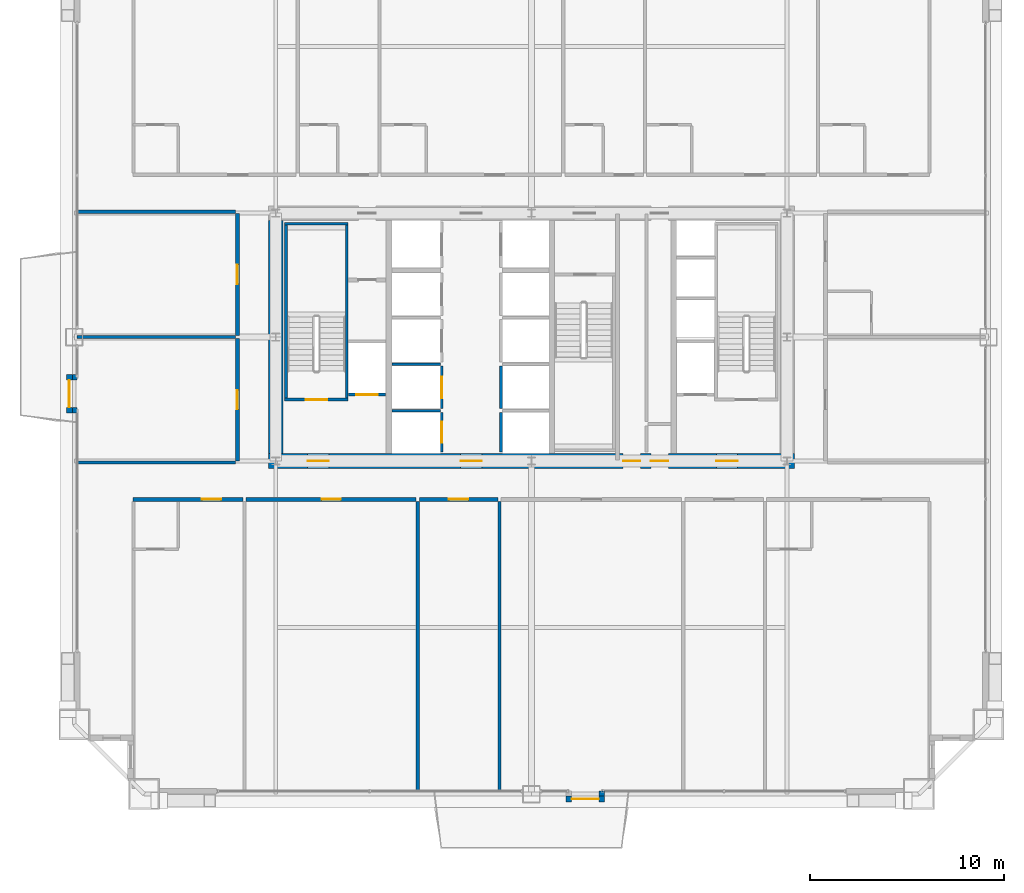
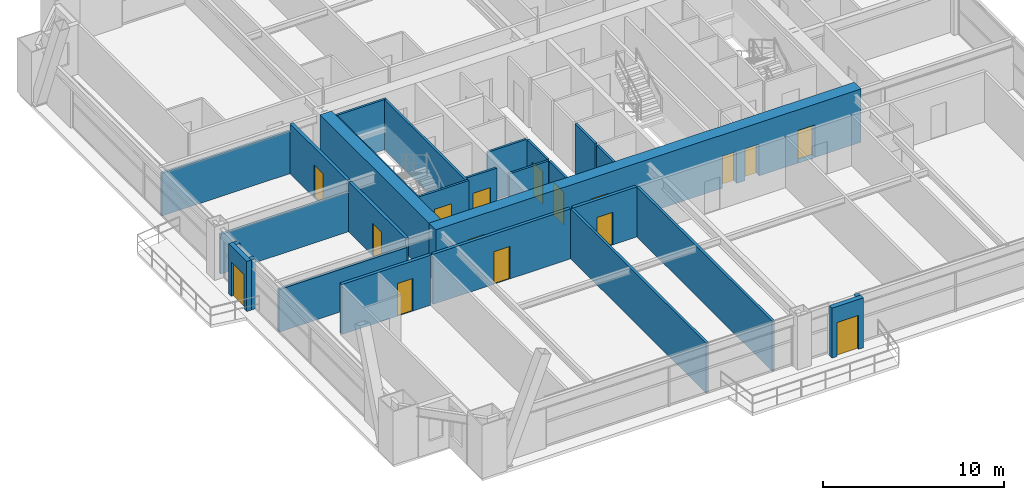
# One storey, part 38 of 42: 28 walls, 16 doors, 16 openings.
"""IFC4 building model written with IfcOpenShell, lengths in metres."""

from ifc_helpers import new_model, si_unit, direction, frame, frame_2d, origin, place, context, subcontext, project, spatial, rectangle, extrude, source, transform, mapped, material, layer, layer_set, type_object, element, fill, save


model = new_model("IFC4")

# Units and contexts
model_context = context("Model", 3, precision=1e-05, world=origin(), true_north=direction((0.0, 1.0)))
body_context = subcontext(model_context, "Body", "Model", "MODEL_VIEW")
ifc_project = project(units=[si_unit("LENGTHUNIT", "METRE"), si_unit("AREAUNIT", "SQUARE_METRE"), si_unit("VOLUMEUNIT", "CUBIC_METRE"), si_unit("PLANEANGLEUNIT", "RADIAN"), si_unit("MASSUNIT", "GRAM", prefix="KILO"), si_unit("THERMODYNAMICTEMPERATUREUNIT", "KELVIN"), si_unit("POWERUNIT", "WATT")], contexts=[model_context])

# Site, building, storey
site_placement = place(None, origin())
site = spatial("IfcSite", under=ifc_project, at=site_placement, CompositionType="ELEMENT")
building_placement = place(site_placement, origin())
building = spatial("IfcBuilding", under=site, at=building_placement, Name="Yuzanri Waterfront Tower", CompositionType="ELEMENT")
storey_placement = place(building_placement, frame((0.0, 0.0, 145.199951171875)))
storey = spatial("IfcBuildingStorey", under=building, at=storey_placement, Name="L38", CompositionType="ELEMENT", Elevation=145.199951171875)

# Wall, opening, door
ifc_material_1 = material(Name="Honed Chongqing Dark Basalt Stone", Category="masonry")
ifc_layer_1 = layer(ifc_material_1, 0.300048828125)
ifc_layer_set_1 = layer_set([ifc_layer_1], Name="Honed Chongqing Dark Basalt Stone")
wall_type_1 = type_object("IfcWallType", Name="Bronze Rainscreen Insulated Spandrel Portal Wall 300", PredefinedType="SOLIDWALL", material=ifc_layer_set_1)
wall_1_placement = place(storey_placement, frame((38.782958984375, 1.949951171875, 0.0), z_axis=(0.0, 0.0, 1.0), x_axis=(1.0, 0.0, 0.0)))
wall_1 = element("IfcWall", 1, at=wall_1_placement, inside=storey, type_object=wall_type_1, Name="L38 S Terrace Door Portal Wall", PredefinedType="SOLIDWALL", context=body_context, shape_type="SweptSolid", body=[
    extrude(rectangle(XDim=2.0, YDim=0.300048828125, at=frame_2d((1.0, 0.0))), origin(), (0.0, 0.0, 1.0), 3.380126953125),
])
opening_1_placement = place(wall_1_placement, frame((0.300048828125, 0.0, 0.0)))
opening_1 = element("IfcOpeningElement", 2, at=opening_1_placement, cuts=wall_1, Name="Opening TD-1400", PredefinedType="OPENING", context=body_context, shape_type="SweptSolid", body=[
    extrude(rectangle(XDim=1.39990234375, YDim=2.300048828125, at=frame_2d((0.699951171875, 1.14990234375))), frame((0.0, 0.1650390625, 0.0), z_axis=(0.0, -1.0, 0.0), x_axis=(1.0, 0.0, 0.0)), (0.0, 0.0, 1.0), 0.329833984375),
])
ifc_material_2 = material(Name="Anodized Architectural Bronze", Category="metal")
door_type_1 = type_object("IfcDoorType", Name="Anodized Bronze Balcony and Terrace Glazed Double Door 1400x2300", OperationType="NOTDEFINED", PredefinedType="DOOR", material=ifc_material_2)
shared_shape_1 = source(origin(), body_context, "Body", "SweptSolid", [
    extrude(rectangle(XDim=1.39990234375, YDim=2.300048828125, at=frame_2d((0.699951171875, 1.14990234375))), frame((0.0, 0.02490234375, 0.0), z_axis=(0.0, -1.0, 0.0), x_axis=(1.0, 0.0, 0.0)), (0.0, 0.0, 1.0), 0.050048828125),
])
door_1_placement = place(opening_1_placement, origin())
door_1 = element("IfcDoor", 3, at=door_1_placement, inside=storey, type_object=door_type_1, Name="L38 S Terrace Glazed Double Door", OperationType="DOUBLE_DOOR_SINGLE_SWING", OverallHeight=2.300048828125, OverallWidth=1.39990234375, PredefinedType="DOOR", context=body_context, shape_type="MappedRepresentation", body=[
    mapped(shared_shape_1, transform((0.0, 0.0, 0.0), scale=1.0)),
])
fill(opening_1, door_1)

wall_2_placement = place(storey_placement, frame((13.14990234375, 21.875, 0.0), z_axis=(0.0, 0.0, 1.0), x_axis=(0.0, 1.0, 0.0)))
wall_2 = element("IfcWall", 4, at=wall_2_placement, inside=storey, type_object=wall_type_1, Name="L38 W Terrace Door Portal Wall", PredefinedType="SOLIDWALL", context=body_context, shape_type="SweptSolid", body=[
    extrude(rectangle(XDim=2.0, YDim=0.300048828125, at=frame_2d((1.0, 0.0))), origin(), (0.0, 0.0, 1.0), 3.380126953125),
])
opening_2_placement = place(wall_2_placement, frame((0.300048828125, 0.0, 0.0)))
opening_2 = element("IfcOpeningElement", 5, at=opening_2_placement, cuts=wall_2, Name="Opening TD-1400", PredefinedType="OPENING", context=body_context, shape_type="SweptSolid", body=[
    extrude(rectangle(XDim=1.39990234375, YDim=2.300048828125, at=frame_2d((0.699951171875, 1.14990234375))), frame((0.0, 0.1650390625, 0.0), z_axis=(0.0, -1.0, 0.0), x_axis=(1.0, 0.0, 0.0)), (0.0, 0.0, 1.0), 0.329833984375),
])
door_2_placement = place(opening_2_placement, origin())
door_2 = element("IfcDoor", 6, at=door_2_placement, inside=storey, type_object=door_type_1, Name="L38 W Terrace Glazed Double Door", OperationType="DOUBLE_DOOR_SINGLE_SWING", OverallHeight=2.300048828125, OverallWidth=1.39990234375, PredefinedType="DOOR", context=body_context, shape_type="MappedRepresentation", body=[
    mapped(shared_shape_1, transform((0.0, 0.0, 0.0), scale=1.0)),
])
fill(opening_2, door_2)

# Wall, openings, doors
ifc_material_3 = material(Name="Concrete C55", Category="concrete")
ifc_layer_2 = layer(ifc_material_3, 0.75)
ifc_layer_set_2 = layer_set([ifc_layer_2], Name="Concrete C55")
wall_type_2 = type_object("IfcWallType", Name="Concrete C55 Low-Mid Zone Core Shear Wall 750", PredefinedType="SHEAR", material=ifc_layer_set_2)
wall_3_placement = place(storey_placement, frame((23.425048828125, 19.39990234375, 0.0), z_axis=(0.0, 0.0, 1.0), x_axis=(1.0, 0.0, 0.0)))
wall_3 = element("IfcWall", 7, at=wall_3_placement, inside=storey, type_object=wall_type_2, Name="L38 Core South Shear Wall", PredefinedType="SHEAR", context=body_context, shape_type="SweptSolid", body=[
    extrude(rectangle(XDim=27.14990234375, YDim=0.75, at=frame_2d((13.574951171875, 0.0))), origin(), (0.0, 0.0, 1.0), 3.60009765625),
])
opening_3_placement = place(wall_3_placement, frame((2.02490234375, 0.0, 0.0)))
opening_3 = element("IfcOpeningElement", 8, at=opening_3_placement, cuts=wall_3, Name="Opening FD-1100", PredefinedType="OPENING", context=body_context, shape_type="SweptSolid", body=[
    extrude(rectangle(XDim=1.10009765625, YDim=2.199951171875, at=frame_2d((0.550048828125, 1.10009765625))), frame((0.0, 0.389892578125, 0.0), z_axis=(0.0, -1.0, 0.0), x_axis=(1.0, 0.0, 0.0)), (0.0, 0.0, 1.0), 0.77978515625),
])
opening_4_placement = place(wall_3_placement, frame((9.925048828125, 0.0, 0.0)))
opening_4 = element("IfcOpeningElement", 9, at=opening_4_placement, cuts=wall_3, Name="Opening FD-1100", PredefinedType="OPENING", context=body_context, shape_type="SweptSolid", body=[
    extrude(rectangle(XDim=1.10009765625, YDim=2.199951171875, at=frame_2d((0.550048828125, 1.10009765625))), frame((0.0, 0.389892578125, 0.0), z_axis=(0.0, -1.0, 0.0), x_axis=(1.0, 0.0, 0.0)), (0.0, 0.0, 1.0), 0.77978515625),
])
opening_5_placement = place(wall_3_placement, frame((23.125, 0.0, 0.0)))
opening_5 = element("IfcOpeningElement", 10, at=opening_5_placement, cuts=wall_3, Name="Opening FD-1100", PredefinedType="OPENING", context=body_context, shape_type="SweptSolid", body=[
    extrude(rectangle(XDim=1.10009765625, YDim=2.199951171875, at=frame_2d((0.550048828125, 1.10009765625))), frame((0.0, 0.389892578125, 0.0), z_axis=(0.0, -1.0, 0.0), x_axis=(1.0, 0.0, 0.0)), (0.0, 0.0, 1.0), 0.77978515625),
])
opening_6_placement = place(wall_3_placement, frame((19.7451171875, 0.0, 0.0)))
opening_6 = element("IfcOpeningElement", 11, at=opening_6_placement, cuts=wall_3, Name="Opening FD-0900", PredefinedType="OPENING", context=body_context, shape_type="SweptSolid", body=[
    extrude(rectangle(XDim=0.89990234375, YDim=2.14990234375, at=frame_2d((0.449951171875, 1.074951171875))), frame((0.0, 0.389892578125, 0.0), z_axis=(0.0, -1.0, 0.0), x_axis=(1.0, 0.0, 0.0)), (0.0, 0.0, 1.0), 0.77978515625),
])
opening_7_placement = place(wall_3_placement, frame((18.304931640625, 0.0, 0.0)))
opening_7 = element("IfcOpeningElement", 12, at=opening_7_placement, cuts=wall_3, Name="Opening FD-0900", PredefinedType="OPENING", context=body_context, shape_type="SweptSolid", body=[
    extrude(rectangle(XDim=0.89990234375, YDim=2.14990234375, at=frame_2d((0.449951171875, 1.074951171875))), frame((0.0, 0.389892578125, 0.0), z_axis=(0.0, -1.0, 0.0), x_axis=(1.0, 0.0, 0.0)), (0.0, 0.0, 1.0), 0.77978515625),
])
ifc_material_4 = material(Name="Painted Galvanized Fire Steel", Category="steel")
door_type_2 = type_object("IfcDoorType", Name="Smoke-Proof Stair and Lobby Fire Door 1100x2200", OperationType="NOTDEFINED", PredefinedType="DOOR", material=ifc_material_4)
shared_shape_2 = source(origin(), body_context, "Body", "SweptSolid", [
    extrude(rectangle(XDim=1.10009765625, YDim=2.199951171875, at=frame_2d((0.550048828125, 1.10009765625))), frame((0.0, 0.02490234375, 0.0), z_axis=(0.0, -1.0, 0.0), x_axis=(1.0, 0.0, 0.0)), (0.0, 0.0, 1.0), 0.050048828125),
])
door_3_placement = place(opening_3_placement, origin())
door_3 = element("IfcDoor", 13, at=door_3_placement, inside=storey, type_object=door_type_2, Name="L38 West Firefighting Lobby Door", OperationType="SINGLE_SWING_RIGHT", OverallHeight=2.199951171875, OverallWidth=1.10009765625, PredefinedType="DOOR", context=body_context, shape_type="MappedRepresentation", body=[
    mapped(shared_shape_2, transform((0.0, 0.0, 0.0), scale=1.0)),
])
fill(opening_3, door_3)
door_4_placement = place(opening_4_placement, origin())
door_4 = element("IfcDoor", 14, at=door_4_placement, inside=storey, type_object=door_type_2, Name="L38 Central Lift Lobby South Door", OperationType="SINGLE_SWING_LEFT", OverallHeight=2.199951171875, OverallWidth=1.10009765625, PredefinedType="DOOR", context=body_context, shape_type="MappedRepresentation", body=[
    mapped(shared_shape_2, transform((0.0, 0.0, 0.0), scale=1.0)),
])
fill(opening_4, door_4)
door_5_placement = place(opening_5_placement, origin())
door_5 = element("IfcDoor", 15, at=door_5_placement, inside=storey, type_object=door_type_2, Name="L38 East Firefighting Lobby Door", OperationType="SINGLE_SWING_RIGHT", OverallHeight=2.199951171875, OverallWidth=1.10009765625, PredefinedType="DOOR", context=body_context, shape_type="MappedRepresentation", body=[
    mapped(shared_shape_2, transform((0.0, 0.0, 0.0), scale=1.0)),
])
fill(opening_5, door_5)
ifc_material_5 = material(Name="Painted Galvanized Fire Steel", Category="steel")
door_type_3 = type_object("IfcDoorType", Name="Riser and Service Room Fire Door 900x2150", OperationType="NOTDEFINED", PredefinedType="DOOR", material=ifc_material_5)
shared_shape_3 = source(origin(), body_context, "Body", "SweptSolid", [
    extrude(rectangle(XDim=0.89990234375, YDim=2.14990234375, at=frame_2d((0.449951171875, 1.074951171875))), frame((0.0, 0.02490234375, 0.0), z_axis=(0.0, -1.0, 0.0), x_axis=(1.0, 0.0, 0.0)), (0.0, 0.0, 1.0), 0.050048828125),
])
door_6_placement = place(opening_6_placement, origin())
door_6 = element("IfcDoor", 16, at=door_6_placement, inside=storey, type_object=door_type_3, Name="L38 East Wet Riser Door", OperationType="SINGLE_SWING_LEFT", OverallHeight=2.14990234375, OverallWidth=0.89990234375, PredefinedType="DOOR", context=body_context, shape_type="MappedRepresentation", body=[
    mapped(shared_shape_3, transform((0.0, 0.0, 0.0), scale=1.0)),
])
fill(opening_6, door_6)
door_7_placement = place(opening_7_placement, origin())
door_7 = element("IfcDoor", 17, at=door_7_placement, inside=storey, type_object=door_type_3, Name="L38 Housekeeping Room", OperationType="SINGLE_SWING_RIGHT", OverallHeight=2.14990234375, OverallWidth=0.89990234375, PredefinedType="DOOR", context=body_context, shape_type="MappedRepresentation", body=[
    mapped(shared_shape_3, transform((0.0, 0.0, 0.0), scale=1.0)),
])
fill(opening_7, door_7)

# Wall, opening, door
ifc_material_6 = material(Name="Concrete C40", Category="concrete")
ifc_layer_3 = layer(ifc_material_6, 0.139892578125)
ifc_layer_set_3 = layer_set([ifc_layer_3], Name="Concrete C40")
wall_type_3 = type_object("IfcWallType", Name="Core Stair Liner and Hoistway Shaft Wall 140", PredefinedType="SOLIDWALL", material=ifc_layer_set_3)
wall_4_placement = place(storey_placement, frame((27.56005859375, 22.830078125, 0.0), z_axis=(0.0, 0.0, 1.0), x_axis=(1.0, 0.0, 0.0)))
wall_4 = element("IfcWall", 18, at=wall_4_placement, inside=storey, type_object=wall_type_3, Name="L38 Lift FL-01 Front Shaft Wall", PredefinedType="SOLIDWALL", context=body_context, shape_type="SweptSolid", body=[
    extrude(rectangle(XDim=1.919921875, YDim=0.139892578125, at=frame_2d((0.9599609375, 0.0))), origin(), (0.0, 0.0, 1.0), 3.380126953125),
])
opening_8_placement = place(wall_4_placement, frame((0.409912109375, 0.0, 0.0)))
opening_8 = element("IfcOpeningElement", 19, at=opening_8_placement, cuts=wall_4, Name="Opening LD-FL-01", PredefinedType="OPENING", context=body_context, shape_type="SweptSolid", body=[
    extrude(rectangle(XDim=1.10009765625, YDim=2.199951171875, at=frame_2d((0.550048828125, 1.10009765625))), frame((0.0, 0.0849609375, 0.0), z_axis=(0.0, -1.0, 0.0), x_axis=(1.0, 0.0, 0.0)), (0.0, 0.0, 1.0), 0.169677734375),
])
ifc_material_7 = material(Name="Brushed Bronze and Stainless Steel Cab", Category="steel")
door_type_4 = type_object("IfcDoorType", Name="Center-Parting Bronze Lift Landing Sliding Door 1100x2200", OperationType="NOTDEFINED", PredefinedType="DOOR", material=ifc_material_7)
shared_shape_4 = source(origin(), body_context, "Body", "SweptSolid", [
    extrude(rectangle(XDim=1.10009765625, YDim=2.199951171875, at=frame_2d((0.550048828125, 1.10009765625))), frame((0.0, 0.02490234375, 0.0), z_axis=(0.0, -1.0, 0.0), x_axis=(1.0, 0.0, 0.0)), (0.0, 0.0, 1.0), 0.050048828125),
])
door_8_placement = place(opening_8_placement, origin())
door_8 = element("IfcDoor", 20, at=door_8_placement, inside=storey, type_object=door_type_4, Name="L38 FL-01 Lift Landing Sliding Door", OperationType="SLIDING_TO_LEFT", OverallHeight=2.199951171875, OverallWidth=1.10009765625, PredefinedType="DOOR", context=body_context, shape_type="MappedRepresentation", body=[
    mapped(shared_shape_4, transform((0.0, 0.0, 0.0), scale=1.0)),
])
fill(opening_8, door_8)

wall_5_placement = place(storey_placement, frame((32.3701171875, 19.860107421875, 0.0), z_axis=(0.0, 0.0, 1.0), x_axis=(0.0, 1.0, 0.0)))
wall_5 = element("IfcWall", 21, at=wall_5_placement, inside=storey, type_object=wall_type_3, Name="L38 Lift PL-01 Front Shaft Wall", PredefinedType="SOLIDWALL", context=body_context, shape_type="SweptSolid", body=[
    extrude(rectangle(XDim=2.039794921875, YDim=0.139892578125, at=frame_2d((1.02001953125, 0.0))), origin(), (0.0, 0.0, 1.0), 3.380126953125),
])
opening_9_placement = place(wall_5_placement, frame((0.469970703125, 0.0, 0.0)))
opening_9 = element("IfcOpeningElement", 22, at=opening_9_placement, cuts=wall_5, Name="Opening LD-PL-01", PredefinedType="OPENING", context=body_context, shape_type="SweptSolid", body=[
    extrude(rectangle(XDim=1.10009765625, YDim=2.199951171875, at=frame_2d((0.550048828125, 1.10009765625))), frame((0.0, 0.0849609375, 0.0), z_axis=(0.0, -1.0, 0.0), x_axis=(1.0, 0.0, 0.0)), (0.0, 0.0, 1.0), 0.169677734375),
])
door_9_placement = place(opening_9_placement, origin())
door_9 = element("IfcDoor", 23, at=door_9_placement, inside=storey, type_object=door_type_4, Name="L38 PL-01 Lift Landing Sliding Door", OperationType="SLIDING_TO_LEFT", OverallHeight=2.199951171875, OverallWidth=1.10009765625, PredefinedType="DOOR", context=body_context, shape_type="MappedRepresentation", body=[
    mapped(shared_shape_4, transform((0.0, 0.0, 0.0), scale=1.0)),
])
fill(opening_9, door_9)

wall_6_placement = place(storey_placement, frame((32.3701171875, 22.10009765625, 0.0), z_axis=(0.0, 0.0, 1.0), x_axis=(0.0, 1.0, 0.0)))
wall_6 = element("IfcWall", 24, at=wall_6_placement, inside=storey, type_object=wall_type_3, Name="L38 Lift PL-02 Front Shaft Wall", PredefinedType="SOLIDWALL", context=body_context, shape_type="SweptSolid", body=[
    extrude(rectangle(XDim=2.199951171875, YDim=0.139892578125, at=frame_2d((1.10009765625, 0.0))), origin(), (0.0, 0.0, 1.0), 3.380126953125),
])
opening_10_placement = place(wall_6_placement, frame((0.550048828125, 0.0, 0.0)))
opening_10 = element("IfcOpeningElement", 25, at=opening_10_placement, cuts=wall_6, Name="Opening LD-PL-02", PredefinedType="OPENING", context=body_context, shape_type="SweptSolid", body=[
    extrude(rectangle(XDim=1.10009765625, YDim=2.199951171875, at=frame_2d((0.550048828125, 1.10009765625))), frame((0.0, 0.0849609375, 0.0), z_axis=(0.0, -1.0, 0.0), x_axis=(1.0, 0.0, 0.0)), (0.0, 0.0, 1.0), 0.169677734375),
])
door_10_placement = place(opening_10_placement, origin())
door_10 = element("IfcDoor", 26, at=door_10_placement, inside=storey, type_object=door_type_4, Name="L38 PL-02 Lift Landing Sliding Door", OperationType="SLIDING_TO_RIGHT", OverallHeight=2.199951171875, OverallWidth=1.10009765625, PredefinedType="DOOR", context=body_context, shape_type="MappedRepresentation", body=[
    mapped(shared_shape_4, transform((0.0, 0.0, 0.0), scale=1.0)),
])
fill(opening_10, door_10)

wall_7_placement = place(storey_placement, frame((24.260009765625, 22.570068359375, 0.0), z_axis=(0.0, 0.0, 1.0), x_axis=(1.0, 0.0, 0.0)))
wall_7 = element("IfcWall", 27, at=wall_7_placement, inside=storey, type_object=wall_type_3, Name="L38 Shaft Wall STW-L38-ST-01-S", PredefinedType="SOLIDWALL", context=body_context, shape_type="SweptSolid", body=[
    extrude(rectangle(XDim=3.280029296875, YDim=0.139892578125, at=frame_2d((1.64013671875, 0.0))), origin(), (0.0, 0.0, 1.0), 3.380126953125),
])
opening_11_placement = place(wall_7_placement, frame((1.090087890625, 0.0, 0.0)))
opening_11 = element("IfcOpeningElement", 28, at=opening_11_placement, cuts=wall_7, Name="Opening FD-1100", PredefinedType="OPENING", context=body_context, shape_type="SweptSolid", body=[
    extrude(rectangle(XDim=1.10009765625, YDim=2.199951171875, at=frame_2d((0.550048828125, 1.10009765625))), frame((0.0, 0.0849609375, 0.0), z_axis=(0.0, -1.0, 0.0), x_axis=(1.0, 0.0, 0.0)), (0.0, 0.0, 1.0), 0.169677734375),
])
door_11_placement = place(opening_11_placement, origin())
door_11 = element("IfcDoor", 29, at=door_11_placement, inside=storey, type_object=door_type_2, Name="L38 Stair ST-01 Fire Door", OperationType="SINGLE_SWING_LEFT", OverallHeight=2.199951171875, OverallWidth=1.10009765625, PredefinedType="DOOR", context=body_context, shape_type="MappedRepresentation", body=[
    mapped(shared_shape_2, transform((0.0, 0.0, 0.0), scale=1.0)),
])
fill(opening_11, door_11)

ifc_material_8 = material(Name="Autoclaved Aerated Concrete Blockwork", Category="masonry")
ifc_layer_4 = layer(ifc_material_8, 0.199951171875)
ifc_layer_set_4 = layer_set([ifc_layer_4], Name="Autoclaved Aerated Concrete Blockwork")
wall_type_4 = type_object("IfcWallType", Name="Corridor and Unit Party Fire Wall 200", PredefinedType="PARTITIONING", material=ifc_layer_set_4)
wall_8_placement = place(storey_placement, frame((16.43994140625, 17.419921875, 0.0), z_axis=(0.0, 0.0, 1.0), x_axis=(1.0, 0.0, 0.0)))
wall_8 = element("IfcWall", 30, at=wall_8_placement, inside=storey, type_object=wall_type_4, Name="L38 Partition UW-L38-S1-CN", PredefinedType="PARTITIONING", context=body_context, shape_type="SweptSolid", body=[
    extrude(rectangle(XDim=5.677001953125, YDim=0.199951171875, at=frame_2d((2.83837890625, 0.0))), origin(), (0.0, 0.0, 1.0), 3.380126953125),
])
opening_12_placement = place(wall_8_placement, frame((3.54296875, 0.0, 0.0)))
opening_12 = element("IfcOpeningElement", 31, at=opening_12_placement, cuts=wall_8, Name="Opening FD-1000", PredefinedType="OPENING", context=body_context, shape_type="SweptSolid", body=[
    extrude(rectangle(XDim=1.0, YDim=2.199951171875, at=frame_2d((0.5, 1.10009765625))), frame((0.0, 0.11474609375, 0.0), z_axis=(0.0, -1.0, 0.0), x_axis=(1.0, 0.0, 0.0)), (0.0, 0.0, 1.0), 0.229736328125),
])
ifc_material_9 = material(Name="Engineered Oak Fire-Rated Timber", Category="wood")
door_type_5 = type_object("IfcDoorType", Name="Guestroom and Apartment Entrance Fire Door 1000x2200", OperationType="NOTDEFINED", PredefinedType="DOOR", material=ifc_material_9)
shared_shape_5 = source(origin(), body_context, "Body", "SweptSolid", [
    extrude(rectangle(XDim=1.0, YDim=2.199951171875, at=frame_2d((0.5, 1.10009765625))), frame((0.0, 0.02490234375, 0.0), z_axis=(0.0, -1.0, 0.0), x_axis=(1.0, 0.0, 0.0)), (0.0, 0.0, 1.0), 0.050048828125),
])
door_12_placement = place(opening_12_placement, origin())
door_12 = element("IfcDoor", 32, at=door_12_placement, inside=storey, type_object=door_type_5, Name="L38 Ambassador Suite Entrance Door", OperationType="SINGLE_SWING_RIGHT", OverallHeight=2.199951171875, OverallWidth=1.0, PredefinedType="DOOR", context=body_context, shape_type="MappedRepresentation", body=[
    mapped(shared_shape_5, transform((0.0, 0.0, 0.0), scale=1.0)),
])
fill(opening_12, door_12)

wall_9_placement = place(storey_placement, frame((22.277099609375, 17.419921875, 0.0), z_axis=(0.0, 0.0, 1.0), x_axis=(1.0, 0.0, 0.0)))
wall_9 = element("IfcWall", 33, at=wall_9_placement, inside=storey, type_object=wall_type_4, Name="L38 Partition UW-L38-S2-CN", PredefinedType="PARTITIONING", context=body_context, shape_type="SweptSolid", body=[
    extrude(rectangle(XDim=8.77685546875, YDim=0.199951171875, at=frame_2d((4.388427734375, 0.0))), origin(), (0.0, 0.0, 1.0), 3.380126953125),
])
opening_13_placement = place(wall_9_placement, frame((3.888916015625, 0.0, 0.0)))
opening_13 = element("IfcOpeningElement", 34, at=opening_13_placement, cuts=wall_9, Name="Opening FD-1000", PredefinedType="OPENING", context=body_context, shape_type="SweptSolid", body=[
    extrude(rectangle(XDim=1.0, YDim=2.199951171875, at=frame_2d((0.5, 1.10009765625))), frame((0.0, 0.11474609375, 0.0), z_axis=(0.0, -1.0, 0.0), x_axis=(1.0, 0.0, 0.0)), (0.0, 0.0, 1.0), 0.229736328125),
])
door_13_placement = place(opening_13_placement, origin())
door_13 = element("IfcDoor", 35, at=door_13_placement, inside=storey, type_object=door_type_5, Name="L38 Private Office 1 Entrance Door", OperationType="SINGLE_SWING_RIGHT", OverallHeight=2.199951171875, OverallWidth=1.0, PredefinedType="DOOR", context=body_context, shape_type="MappedRepresentation", body=[
    mapped(shared_shape_5, transform((0.0, 0.0, 0.0), scale=1.0)),
])
fill(opening_13, door_13)

wall_10_placement = place(storey_placement, frame((31.214111328125, 17.419921875, 0.0), z_axis=(0.0, 0.0, 1.0), x_axis=(1.0, 0.0, 0.0)))
wall_10 = element("IfcWall", 36, at=wall_10_placement, inside=storey, type_object=wall_type_4, Name="L38 Partition UW-L38-S3-CN", PredefinedType="PARTITIONING", context=body_context, shape_type="SweptSolid", body=[
    extrude(rectangle(XDim=4.060791015625, YDim=0.199951171875, at=frame_2d((2.0302734375, 0.0))), origin(), (0.0, 0.0, 1.0), 3.380126953125),
])
opening_14_placement = place(wall_10_placement, frame((1.531005859375, 0.0, 0.0)))
opening_14 = element("IfcOpeningElement", 37, at=opening_14_placement, cuts=wall_10, Name="Opening FD-1000", PredefinedType="OPENING", context=body_context, shape_type="SweptSolid", body=[
    extrude(rectangle(XDim=1.0, YDim=2.199951171875, at=frame_2d((0.5, 1.10009765625))), frame((0.0, 0.11474609375, 0.0), z_axis=(0.0, -1.0, 0.0), x_axis=(1.0, 0.0, 0.0)), (0.0, 0.0, 1.0), 0.229736328125),
])
door_14_placement = place(opening_14_placement, origin())
door_14 = element("IfcDoor", 38, at=door_14_placement, inside=storey, type_object=door_type_5, Name="L38 Private Office 2 Entrance Door", OperationType="SINGLE_SWING_LEFT", OverallHeight=2.199951171875, OverallWidth=1.0, PredefinedType="DOOR", context=body_context, shape_type="MappedRepresentation", body=[
    mapped(shared_shape_5, transform((0.0, 0.0, 0.0), scale=1.0)),
])
fill(opening_14, door_14)

wall_11_placement = place(storey_placement, frame((21.820068359375, 19.409912109375, 0.0), z_axis=(0.0, 0.0, 1.0), x_axis=(0.0, 1.0, 0.0)))
wall_11 = element("IfcWall", 39, at=wall_11_placement, inside=storey, type_object=wall_type_4, Name="L38 Partition UW-L38-W1-CW", PredefinedType="PARTITIONING", context=body_context, shape_type="SweptSolid", body=[
    extrude(rectangle(XDim=6.31005859375, YDim=0.199951171875, at=frame_2d((3.155029296875, 0.0))), origin(), (0.0, 0.0, 1.0), 3.380126953125),
])
opening_15_placement = place(wall_11_placement, frame((2.655029296875, 0.0, 0.0)))
opening_15 = element("IfcOpeningElement", 40, at=opening_15_placement, cuts=wall_11, Name="Opening FD-1000", PredefinedType="OPENING", context=body_context, shape_type="SweptSolid", body=[
    extrude(rectangle(XDim=1.0, YDim=2.199951171875, at=frame_2d((0.5, 1.10009765625))), frame((0.0, 0.11474609375, 0.0), z_axis=(0.0, -1.0, 0.0), x_axis=(1.0, 0.0, 0.0)), (0.0, 0.0, 1.0), 0.229736328125),
])
door_15_placement = place(opening_15_placement, origin())
door_15 = element("IfcDoor", 41, at=door_15_placement, inside=storey, type_object=door_type_5, Name="L38 West Club Room Entrance Door", OperationType="SINGLE_SWING_RIGHT", OverallHeight=2.199951171875, OverallWidth=1.0, PredefinedType="DOOR", context=body_context, shape_type="MappedRepresentation", body=[
    mapped(shared_shape_5, transform((0.0, 0.0, 0.0), scale=1.0)),
])
fill(opening_15, door_15)

wall_12_placement = place(storey_placement, frame((21.820068359375, 25.8798828125, 0.0), z_axis=(0.0, 0.0, 1.0), x_axis=(0.0, 1.0, 0.0)))
wall_12 = element("IfcWall", 42, at=wall_12_placement, inside=storey, type_object=wall_type_4, Name="L38 Partition UW-L38-W2-CW", PredefinedType="PARTITIONING", context=body_context, shape_type="SweptSolid", body=[
    extrude(rectangle(XDim=6.31005859375, YDim=0.199951171875, at=frame_2d((3.155029296875, 0.0))), origin(), (0.0, 0.0, 1.0), 3.380126953125),
])
opening_16_placement = place(wall_12_placement, frame((2.655029296875, 0.0, 0.0)))
opening_16 = element("IfcOpeningElement", 43, at=opening_16_placement, cuts=wall_12, Name="Opening FD-1000", PredefinedType="OPENING", context=body_context, shape_type="SweptSolid", body=[
    extrude(rectangle(XDim=1.0, YDim=2.199951171875, at=frame_2d((0.5, 1.10009765625))), frame((0.0, 0.11474609375, 0.0), z_axis=(0.0, -1.0, 0.0), x_axis=(1.0, 0.0, 0.0)), (0.0, 0.0, 1.0), 0.229736328125),
])
door_16_placement = place(opening_16_placement, origin())
door_16 = element("IfcDoor", 44, at=door_16_placement, inside=storey, type_object=door_type_5, Name="L38 West Library Reading Room Entrance Door", OperationType="SINGLE_SWING_LEFT", OverallHeight=2.199951171875, OverallWidth=1.0, PredefinedType="DOOR", context=body_context, shape_type="MappedRepresentation", body=[
    mapped(shared_shape_5, transform((0.0, 0.0, 0.0), scale=1.0)),
])
fill(opening_16, door_16)

# Walls
shared_shape_6 = source(origin(), body_context, "Body", "SweptSolid", [
    extrude(rectangle(XDim=12.050048828125, YDim=0.75, at=frame_2d((6.02490234375, 0.0))), origin(), (0.0, 0.0, 1.0), 3.60009765625),
])
wall_13_placement = place(storey_placement, frame((23.800048828125, 19.77490234375, 0.0), z_axis=(0.0, 0.0, 1.0), x_axis=(0.0, 1.0, 0.0)))
element("IfcWall", 45, at=wall_13_placement, inside=storey, type_object=wall_type_2, Name="L38 Core West Shear Wall", PredefinedType="SHEAR", context=body_context, shape_type="MappedRepresentation", body=[
    mapped(shared_shape_6, transform((0.0, 0.0, 0.0), scale=1.0)),
])
shared_shape_7 = source(origin(), body_context, "Body", "SweptSolid", [
    extrude(rectangle(XDim=0.25, YDim=0.300048828125, at=frame_2d((0.125, 0.0))), origin(), (0.0, 0.0, 1.0), 3.380126953125),
])
for number, where, z_axis, x_axis, name in (
    (46, (40.633056640625, 2.10009765625, 0.0), (0.0, 0.0, 1.0), (0.0, 1.0, 0.0), "L38 S Terrace Portal Right Return"),
    (47, (13.550048828125, 22.02490234375, 0.0), (0.0, 0.0, 1.0), (-1.0, 0.0, 0.0), "L38 W Terrace Portal Left Return"),
    (48, (13.300048828125, 23.72509765625, 0.0), (0.0, 0.0, 1.0), (1.0, 0.0, 0.0), "L38 W Terrace Portal Right Return"),
):
    element("IfcWall", number, at=place(storey_placement, frame(where, z_axis=z_axis, x_axis=x_axis)), inside=storey, type_object=wall_type_1, Name=name, PredefinedType="SOLIDWALL", context=body_context, shape_type="MappedRepresentation", body=[
        mapped(shared_shape_7, transform((0.0, 0.0, 0.0), scale=1.0)),
    ])
shared_shape_8 = source(origin(), body_context, "Body", "SweptSolid", [
    extrude(rectangle(XDim=2.5, YDim=0.139892578125, at=frame_2d((1.25, 0.0))), origin(), (0.0, 0.0, 1.0), 3.380126953125),
])
for number, where, z_axis, x_axis, name in (
    (49, (29.800048828125, 22.0, 0.0), (0.0, 0.0, 1.0), (1.0, 0.0, 0.0), "L38 Lift PL-01 Divider Wall"),
    (50, (29.800048828125, 24.39990234375, 0.0), (0.0, 0.0, 1.0), (1.0, 0.0, 0.0), "L38 Lift PL-02 Divider Wall"),
):
    element("IfcWall", number, at=place(storey_placement, frame(where, z_axis=z_axis, x_axis=x_axis)), inside=storey, type_object=wall_type_3, Name=name, PredefinedType="SOLIDWALL", context=body_context, shape_type="MappedRepresentation", body=[
        mapped(shared_shape_8, transform((0.0, 0.0, 0.0), scale=1.0)),
    ])
shared_shape_9 = source(origin(), body_context, "Body", "SweptSolid", [
    extrude(rectangle(XDim=2.039794921875, YDim=0.139892578125, at=frame_2d((1.02001953125, 0.0))), origin(), (0.0, 0.0, 1.0), 3.380126953125),
])
wall_14_placement = place(storey_placement, frame((35.429931640625, 19.860107421875, 0.0), z_axis=(0.0, 0.0, 1.0), x_axis=(0.0, 1.0, 0.0)))
element("IfcWall", 51, at=wall_14_placement, inside=storey, type_object=wall_type_3, Name="L38 Lift PL-05 Front Shaft Wall", PredefinedType="SOLIDWALL", context=body_context, shape_type="MappedRepresentation", body=[
    mapped(shared_shape_9, transform((0.0, 0.0, 0.0), scale=1.0)),
])
shared_shape_10 = source(origin(), body_context, "Body", "SweptSolid", [
    extrude(rectangle(XDim=2.199951171875, YDim=0.139892578125, at=frame_2d((1.10009765625, 0.0))), origin(), (0.0, 0.0, 1.0), 3.380126953125),
])
wall_15_placement = place(storey_placement, frame((35.429931640625, 22.10009765625, 0.0), z_axis=(0.0, 0.0, 1.0), x_axis=(0.0, 1.0, 0.0)))
element("IfcWall", 52, at=wall_15_placement, inside=storey, type_object=wall_type_3, Name="L38 Lift PL-06 Front Shaft Wall", PredefinedType="SOLIDWALL", context=body_context, shape_type="MappedRepresentation", body=[
    mapped(shared_shape_10, transform((0.0, 0.0, 0.0), scale=1.0)),
])
shared_shape_11 = source(origin(), body_context, "Body", "SweptSolid", [
    extrude(rectangle(XDim=3.280029296875, YDim=0.139892578125, at=frame_2d((1.64013671875, 0.0))), origin(), (0.0, 0.0, 1.0), 3.380126953125),
])
wall_16_placement = place(storey_placement, frame((24.260009765625, 31.64990234375, 0.0), z_axis=(0.0, 0.0, 1.0), x_axis=(1.0, 0.0, 0.0)))
element("IfcWall", 53, at=wall_16_placement, inside=storey, type_object=wall_type_3, Name="L38 Stair ST-01 North Shaft Wall", PredefinedType="SOLIDWALL", context=body_context, shape_type="MappedRepresentation", body=[
    mapped(shared_shape_11, transform((0.0, 0.0, 0.0), scale=1.0)),
])
shared_shape_12 = source(origin(), body_context, "Body", "SweptSolid", [
    extrude(rectangle(XDim=8.940185546875, YDim=0.139892578125, at=frame_2d((4.47021484375, 0.0))), origin(), (0.0, 0.0, 1.0), 3.380126953125),
])
for number, where, z_axis, x_axis, name in (
    (54, (24.330078125, 22.639892578125, 0.0), (0.0, 0.0, 1.0), (0.0, 1.0, 0.0), "L38 Stair ST-01 West Shaft Wall"),
    (55, (27.469970703125, 22.639892578125, 0.0), (0.0, 0.0, 1.0), (0.0, 1.0, 0.0), "L38 Stair ST-01 East Shaft Wall"),
):
    element("IfcWall", number, at=place(storey_placement, frame(where, z_axis=z_axis, x_axis=x_axis)), inside=storey, type_object=wall_type_3, Name=name, PredefinedType="SOLIDWALL", context=body_context, shape_type="MappedRepresentation", body=[
        mapped(shared_shape_12, transform((0.0, 0.0, 0.0), scale=1.0)),
    ])
ifc_material_10 = material(Name="Gypsum Fireboard Acoustic Stud Wall", Category="gypsum")
ifc_layer_5 = layer(ifc_material_10, 0.159912109375)
ifc_layer_set_5 = layer_set([ifc_layer_5], Name="Gypsum Fireboard Acoustic Stud Wall")
wall_type_5 = type_object("IfcWallType", Name="Acoustic Suite Demising Partition 160", PredefinedType="PARTITIONING", material=ifc_layer_set_5)
shared_shape_13 = source(origin(), body_context, "Body", "SweptSolid", [
    extrude(rectangle(XDim=14.969970703125, YDim=0.159912109375, at=frame_2d((7.48486328125, 0.0))), origin(), (0.0, 0.0, 1.0), 3.380126953125),
])
for number, where, z_axis, x_axis, name in (
    (56, (31.134033203125, 2.35009765625, 0.0), (0.0, 0.0, 1.0), (0.0, 1.0, 0.0), "L38-S2 Party Wall"),
    (57, (35.35498046875, 2.35009765625, 0.0), (0.0, 0.0, 1.0), (0.0, 1.0, 0.0), "L38-S3 Party Wall"),
):
    element("IfcWall", number, at=place(storey_placement, frame(where, z_axis=z_axis, x_axis=x_axis)), inside=storey, type_object=wall_type_5, Name=name, PredefinedType="PARTITIONING", context=body_context, shape_type="MappedRepresentation", body=[
        mapped(shared_shape_13, transform((0.0, 0.0, 0.0), scale=1.0)),
    ])
shared_shape_14 = source(origin(), body_context, "Body", "SweptSolid", [
    extrude(rectangle(XDim=8.169921875, YDim=0.159912109375, at=frame_2d((4.0849609375, 0.0))), origin(), (0.0, 0.0, 1.0), 2.675048828125),
])
wall_17_placement = place(storey_placement, frame((13.550048828125, 25.800048828125, 0.0), z_axis=(0.0, 0.0, 1.0), x_axis=(1.0, 0.0, 0.0)))
element("IfcWall", 58, at=wall_17_placement, inside=storey, type_object=wall_type_5, Name="L38-W1 Wing Party Wall", PredefinedType="PARTITIONING", context=body_context, shape_type="MappedRepresentation", body=[
    mapped(shared_shape_14, transform((0.0, 0.0, 0.0), scale=1.0)),
])
shared_shape_15 = source(origin(), body_context, "Body", "SweptSolid", [
    extrude(rectangle(XDim=8.169921875, YDim=0.159912109375, at=frame_2d((4.0849609375, 0.0))), origin(), (0.0, 0.0, 1.0), 2.875),
])
for number, where, z_axis, x_axis, name in (
    (59, (13.550048828125, 19.330078125, 0.0), (0.0, 0.0, 1.0), (1.0, 0.0, 0.0), "L38-W1 Wing South End Wall"),
    (60, (13.550048828125, 32.27001953125, 0.0), (0.0, 0.0, 1.0), (1.0, 0.0, 0.0), "L38-W2 Wing North End Wall"),
):
    element("IfcWall", number, at=place(storey_placement, frame(where, z_axis=z_axis, x_axis=x_axis)), inside=storey, type_object=wall_type_5, Name=name, PredefinedType="PARTITIONING", context=body_context, shape_type="MappedRepresentation", body=[
        mapped(shared_shape_15, transform((0.0, 0.0, 0.0), scale=1.0)),
    ])

save(model, "model.ifc")
